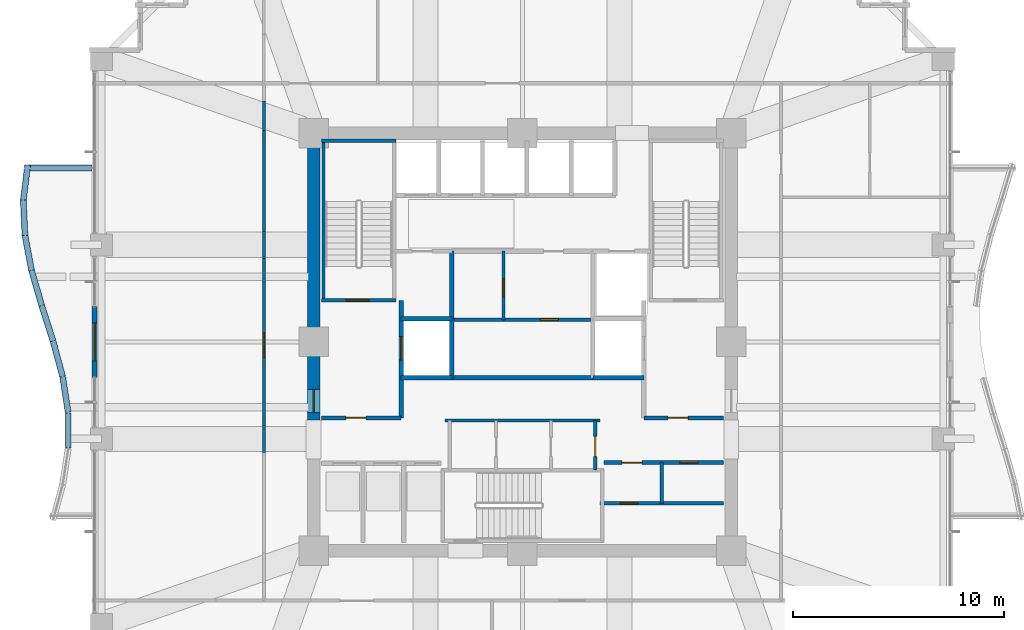
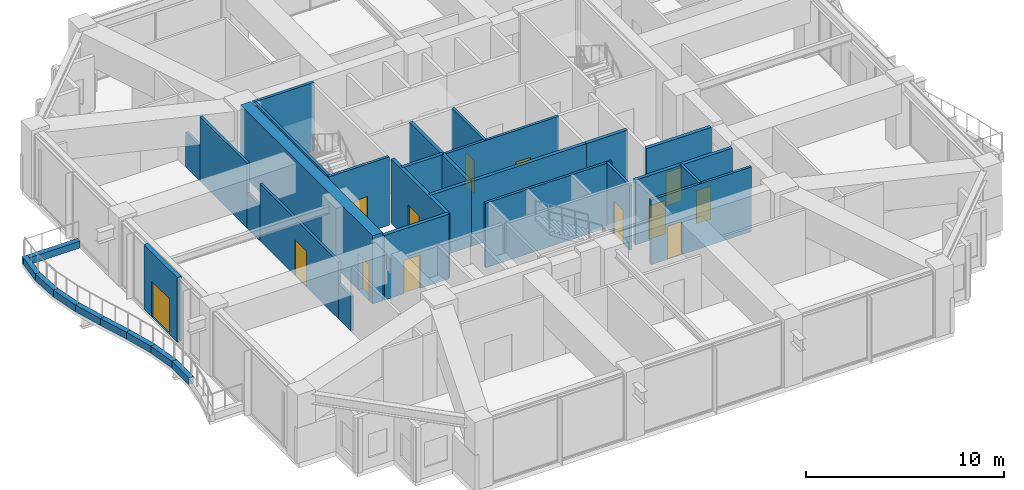
# One storey, part 34 of 40: 35 walls, 13 doors, 13 openings.
"""IFC4 building model written with IfcOpenShell, lengths in metres."""

from ifc_helpers import new_model, si_unit, direction, frame, frame_2d, origin, place, context, subcontext, project, spatial, rectangle, extrude, material, layer, layer_set, type_object, element, fill, save


model = new_model("IFC4")

# Units and contexts
model_context = context("Model", 3, precision=1e-05, world=origin(), true_north=direction((0.0, 1.0)))
body_context = subcontext(model_context, "Body", "Model", "MODEL_VIEW")
ifc_project = project(units=[si_unit("LENGTHUNIT", "METRE"), si_unit("AREAUNIT", "SQUARE_METRE"), si_unit("VOLUMEUNIT", "CUBIC_METRE"), si_unit("PLANEANGLEUNIT", "RADIAN"), si_unit("MASSUNIT", "GRAM", prefix="KILO")], contexts=[model_context])

# Site, building, storey
site_placement = place(None, origin())
site = spatial("IfcSite", under=ifc_project, at=site_placement, CompositionType="ELEMENT")
building_placement = place(site_placement, origin())
building = spatial("IfcBuilding", under=site, at=building_placement, Name="Kolvaren Belvedere", CompositionType="ELEMENT")
storey_placement = place(building_placement, frame((0.0, 0.0, 68.0)))
storey = spatial("IfcBuildingStorey", under=building, at=storey_placement, Name="L19", CompositionType="ELEMENT", Elevation=68.0)

# Wall, opening, door
ifc_material_1 = material(Name="Concrete C60/75", Category="concrete")
ifc_layer_1 = layer(ifc_material_1, 0.60009765625)
ifc_layer_set_1 = layer_set([ifc_layer_1], Name="Concrete C60/75")
wall_type_1 = type_object("IfcWallType", Name="CW-CORE-600", PredefinedType="SHEAR", material=ifc_layer_set_1)
wall_1_placement = place(storey_placement, frame((-9.89990234375, -3.699951171875, 0.0), z_axis=(0.0, 0.0, 1.0), x_axis=(0.0, 1.0, 0.0)))
wall_1 = element("IfcWall", 1, at=wall_1_placement, inside=storey, type_object=wall_type_1, Name="L19 West Core Shear Wall 2", PredefinedType="SHEAR", context=body_context, shape_type="SweptSolid", body=[
    extrude(rectangle(XDim=13.300048828125, YDim=0.60009765625, at=frame_2d((6.64990234375, 0.0))), origin(), (0.0, 0.0, 1.0), 4.199951171875),
])
opening_1_placement = place(wall_1_placement, frame((0.35009765625, 0.0, 0.0)))
opening_1 = element("IfcOpeningElement", 2, at=opening_1_placement, cuts=wall_1, Name="Opening D-FD90", PredefinedType="OPENING", context=body_context, shape_type="SweptSolid", body=[
    extrude(rectangle(XDim=1.10009765625, YDim=2.199951171875, at=frame_2d((0.550048828125, 1.10009765625))), frame((0.0, 0.31005859375, 0.0), z_axis=(0.0, -1.0, 0.0), x_axis=(1.0, 0.0, 0.0)), (0.0, 0.0, 1.0), 0.6201171875),
])
ifc_material_2 = material(Name="Painted hollow stainless steel", Category="steel")
door_type_1 = type_object("IfcDoorType", Name="DR-FD90-1100", OperationType="NOTDEFINED", PredefinedType="DOOR", material=ifc_material_2)
door_1_placement = place(opening_1_placement, origin())
door_1 = element("IfcDoor", 3, at=door_1_placement, inside=storey, type_object=door_type_1, Name="L19 West Firefighting Lobby Fire Door", OperationType="SINGLE_SWING_LEFT", OverallHeight=2.199951171875, OverallWidth=1.10009765625, PredefinedType="DOOR", context=body_context, shape_type="SweptSolid", body=[
    extrude(rectangle(XDim=1.10009765625, YDim=2.199951171875, at=frame_2d((0.550048828125, 1.10009765625))), frame((0.0, 0.02490234375, 0.0), z_axis=(0.0, -1.0, 0.0), x_axis=(1.0, 0.0, 0.0)), (0.0, 0.0, 1.0), 0.050048828125),
])
fill(opening_1, door_1)

ifc_material_3 = material(Name="Concrete C50/60", Category="concrete")
ifc_layer_2 = layer(ifc_material_3, 0.159912109375)
ifc_layer_set_2 = layer_set([ifc_layer_2], Name="Concrete C50/60")
wall_type_2 = type_object("IfcWallType", Name="CW-STAIR-160", PredefinedType="SHEAR", material=ifc_layer_set_2)
wall_2_placement = place(storey_placement, frame((-9.52001953125, 1.969970703125, 0.0), z_axis=(0.0, 0.0, 1.0), x_axis=(1.0, 0.0, 0.0)))
wall_2 = element("IfcWall", 4, at=wall_2_placement, inside=storey, type_object=wall_type_2, Name="L19 Stair ST-1 South Shear Wall", PredefinedType="SHEAR", context=body_context, shape_type="SweptSolid", body=[
    extrude(rectangle(XDim=3.52001953125, YDim=0.159912109375, at=frame_2d((1.760009765625, 0.0))), origin(), (0.0, 0.0, 1.0), 4.199951171875),
])
opening_2_placement = place(wall_2_placement, frame((1.14990234375, 0.0, 0.0)))
opening_2 = element("IfcOpeningElement", 5, at=opening_2_placement, cuts=wall_2, Name="Opening D-FD90", PredefinedType="OPENING", context=body_context, shape_type="SweptSolid", body=[
    extrude(rectangle(XDim=1.10009765625, YDim=2.199951171875, at=frame_2d((0.550048828125, 1.10009765625))), frame((0.0, 0.08984375, 0.0), z_axis=(0.0, -1.0, 0.0), x_axis=(1.0, 0.0, 0.0)), (0.0, 0.0, 1.0), 0.179931640625),
])
door_2_placement = place(opening_2_placement, origin())
door_2 = element("IfcDoor", 6, at=door_2_placement, inside=storey, type_object=door_type_1, Name="L19 Stair ST-1 Fire Door", OperationType="SINGLE_SWING_LEFT", OverallHeight=2.199951171875, OverallWidth=1.10009765625, PredefinedType="DOOR", context=body_context, shape_type="SweptSolid", body=[
    extrude(rectangle(XDim=1.10009765625, YDim=2.199951171875, at=frame_2d((0.550048828125, 1.10009765625))), frame((0.0, 0.02490234375, 0.0), z_axis=(0.0, -1.0, 0.0), x_axis=(1.0, 0.0, 0.0)), (0.0, 0.0, 1.0), 0.050048828125),
])
fill(opening_2, door_2)

# Walls
wall_3_placement = place(storey_placement, frame((-9.52001953125, 9.530029296875, 0.0), z_axis=(0.0, 0.0, 1.0), x_axis=(1.0, 0.0, 0.0)))
element("IfcWall", 7, at=wall_3_placement, inside=storey, type_object=wall_type_2, Name="L19 Stair ST-1 North Shear Wall", PredefinedType="SHEAR", context=body_context, shape_type="SweptSolid", body=[
    extrude(rectangle(XDim=3.52001953125, YDim=0.159912109375, at=frame_2d((1.760009765625, 0.0))), origin(), (0.0, 0.0, 1.0), 4.199951171875),
])
wall_4_placement = place(storey_placement, frame((-9.429931640625, 1.969970703125, 0.0), z_axis=(0.0, 0.0, 1.0), x_axis=(0.0, 1.0, 0.0)))
element("IfcWall", 8, at=wall_4_placement, inside=storey, type_object=wall_type_2, Name="L19 Stair ST-1 West Shear Wall", PredefinedType="SHEAR", context=body_context, shape_type="SweptSolid", body=[
    extrude(rectangle(XDim=7.56005859375, YDim=0.159912109375, at=frame_2d((3.780029296875, 0.0))), origin(), (0.0, 0.0, 1.0), 4.199951171875),
])
ifc_material_4 = material(Name="Gypsum fire-rated partition assembly", Category="gypsum")
ifc_layer_3 = layer(ifc_material_4, 0.14990234375)
ifc_layer_set_3 = layer_set([ifc_layer_3], Name="Gypsum fire-rated partition assembly")
wall_type_3 = type_object("IfcWallType", Name="WL-CORR-150", PredefinedType="PARTITIONING", material=ifc_layer_set_3)
wall_5_placement = place(storey_placement, frame((-12.260009765625, -5.241943359375, 0.0), z_axis=(0.0, 0.0, 1.0), x_axis=(0.0, 1.0, 0.0)))
element("IfcWall", 9, at=wall_5_placement, inside=storey, type_object=wall_type_3, Name="L19 West Corridor Wall", PredefinedType="PARTITIONING", context=body_context, shape_type="SweptSolid", body=[
    extrude(rectangle(XDim=1.283935546875, YDim=0.14990234375, at=frame_2d((0.64208984375, 0.0))), origin(), (0.0, 0.0, 1.0), 2.1650390625),
])

# Wall, opening, door
wall_6_placement = place(storey_placement, frame((-12.260009765625, -3.9580078125, 0.0), z_axis=(0.0, 0.0, 1.0), x_axis=(0.0, 1.0, 0.0)))
wall_6 = element("IfcWall", 10, at=wall_6_placement, inside=storey, type_object=wall_type_3, Name="L19 West Corridor Wall", PredefinedType="PARTITIONING", context=body_context, shape_type="SweptSolid", body=[
    extrude(rectangle(XDim=7.916015625, YDim=0.14990234375, at=frame_2d((3.9580078125, 0.0))), origin(), (0.0, 0.0, 1.0), 3.5048828125),
])
opening_3_placement = place(wall_6_placement, frame((3.197998046875, 0.0, 0.0)))
opening_3 = element("IfcOpeningElement", 11, at=opening_3_placement, cuts=wall_6, Name="Opening D-GL12", PredefinedType="OPENING", context=body_context, shape_type="SweptSolid", body=[
    extrude(rectangle(XDim=1.199951171875, YDim=2.199951171875, at=frame_2d((0.60009765625, 1.10009765625))), frame((0.0, 0.0849609375, 0.0), z_axis=(0.0, -1.0, 0.0), x_axis=(1.0, 0.0, 0.0)), (0.0, 0.0, 1.0), 0.169921875),
])
ifc_material_5 = material(Name="Anodised pale-metal aluminium & safety glass", Category="aluminium")
door_type_2 = type_object("IfcDoorType", Name="DR-GLAZ-1200", OperationType="DOUBLE_DOOR_SINGLE_SWING", PredefinedType="DOOR", material=ifc_material_5)
door_3_placement = place(opening_3_placement, origin())
door_3 = element("IfcDoor", 12, at=door_3_placement, inside=storey, type_object=door_type_2, Name="L19 Sky Co-Working & Reading Library Door", OperationType="DOUBLE_DOOR_SINGLE_SWING", OverallHeight=2.199951171875, OverallWidth=1.199951171875, PredefinedType="DOOR", context=body_context, shape_type="SweptSolid", body=[
    extrude(rectangle(XDim=1.199951171875, YDim=2.199951171875, at=frame_2d((0.60009765625, 1.10009765625))), frame((0.0, 0.02490234375, 0.0), z_axis=(0.0, -1.0, 0.0), x_axis=(1.0, 0.0, 0.0)), (0.0, 0.0, 1.0), 0.050048828125),
])
fill(opening_3, door_3)

# Walls
wall_7_placement = place(storey_placement, frame((-12.260009765625, 3.9580078125, 0.0), z_axis=(0.0, 0.0, 1.0), x_axis=(0.0, 1.0, 0.0)))
element("IfcWall", 13, at=wall_7_placement, inside=storey, type_object=wall_type_3, Name="L19 West Corridor Wall", PredefinedType="PARTITIONING", context=body_context, shape_type="SweptSolid", body=[
    extrude(rectangle(XDim=1.283935546875, YDim=0.14990234375, at=frame_2d((0.64208984375, 0.0))), origin(), (0.0, 0.0, 1.0), 2.1650390625),
])
wall_8_placement = place(storey_placement, frame((-12.260009765625, 5.241943359375, 0.0), z_axis=(0.0, 0.0, 1.0), x_axis=(0.0, 1.0, 0.0)))
element("IfcWall", 14, at=wall_8_placement, inside=storey, type_object=wall_type_3, Name="L19 West Corridor Wall", PredefinedType="PARTITIONING", context=body_context, shape_type="SweptSolid", body=[
    extrude(rectangle(XDim=4.771484375, YDim=0.14990234375, at=frame_2d((2.3857421875, 0.0))), origin(), (0.0, 0.0, 1.0), 3.97998046875),
])
wall_9_placement = place(storey_placement, frame((-12.260009765625, 10.013427734375, 0.0), z_axis=(0.0, 0.0, 1.0), x_axis=(0.0, 1.0, 0.0)))
element("IfcWall", 15, at=wall_9_placement, inside=storey, type_object=wall_type_3, Name="L19 West Corridor Wall", PredefinedType="PARTITIONING", context=body_context, shape_type="SweptSolid", body=[
    extrude(rectangle(XDim=1.416748046875, YDim=0.14990234375, at=frame_2d((0.70849609375, 0.0))), origin(), (0.0, 0.0, 1.0), 2.1650390625),
])

# Wall, opening, door
ifc_material_6 = material(Name="Insulated pale-metal facade wall assembly", Category="aluminium")
ifc_layer_4 = layer(ifc_material_6, 0.239990234375)
ifc_layer_set_4 = layer_set([ifc_layer_4], Name="Insulated pale-metal facade wall assembly")
wall_type_4 = type_object("IfcWallType", Name="WL-EXT-240", PredefinedType="STANDARD", material=ifc_layer_set_4)
wall_10_placement = place(storey_placement, frame((-20.280029296875, -1.679931640625, 0.0), z_axis=(0.0, 0.0, 1.0), x_axis=(0.0, 1.0, 0.0)))
wall_10 = element("IfcWall", 16, at=wall_10_placement, inside=storey, type_object=wall_type_4, Name="L19 West Terrace Portal Wall", PredefinedType="STANDARD", context=body_context, shape_type="SweptSolid", body=[
    extrude(rectangle(XDim=3.35986328125, YDim=0.239990234375, at=frame_2d((1.679931640625, 0.0))), origin(), (0.0, 0.0, 1.0), 3.97998046875),
])
opening_4_placement = place(wall_10_placement, frame((0.780029296875, 0.0, 0.0)))
opening_4 = element("IfcOpeningElement", 17, at=opening_4_placement, cuts=wall_10, Name="Opening DB-1800", PredefinedType="OPENING", context=body_context, shape_type="SweptSolid", body=[
    extrude(rectangle(XDim=1.800048828125, YDim=2.199951171875, at=frame_2d((0.89990234375, 1.10009765625))), frame((0.0, 0.1298828125, 0.0), z_axis=(0.0, -1.0, 0.0), x_axis=(1.0, 0.0, 0.0)), (0.0, 0.0, 1.0), 0.260009765625),
])
ifc_material_7 = material(Name="Thermally broken pale-metal aluminium & low-iron glass", Category="aluminium")
door_type_3 = type_object("IfcDoorType", Name="DR-BAL-1800", OperationType="DOUBLE_DOOR_SLIDING", PredefinedType="DOOR", material=ifc_material_7)
door_4_placement = place(opening_4_placement, origin())
door_4 = element("IfcDoor", 18, at=door_4_placement, inside=storey, type_object=door_type_3, Name="L19 West Planted Terrace Sliding Door", OperationType="DOUBLE_DOOR_SLIDING", OverallHeight=2.199951171875, OverallWidth=1.800048828125, PredefinedType="DOOR", context=body_context, shape_type="SweptSolid", body=[
    extrude(rectangle(XDim=1.800048828125, YDim=2.199951171875, at=frame_2d((0.89990234375, 1.10009765625))), frame((0.0, 0.02490234375, 0.0), z_axis=(0.0, -1.0, 0.0), x_axis=(1.0, 0.0, 0.0)), (0.0, 0.0, 1.0), 0.050048828125),
])
fill(opening_4, door_4)

ifc_material_8 = material(Name="Gypsum acoustic partition assembly", Category="gypsum")
ifc_layer_5 = layer(ifc_material_8, 0.14990234375)
ifc_layer_set_5 = layer_set([ifc_layer_5], Name="Gypsum acoustic partition assembly")
wall_type_5 = type_object("IfcWallType", Name="WL-PART-150", PredefinedType="PARTITIONING", material=ifc_layer_set_5)
wall_11_placement = place(storey_placement, frame((3.679931640625, -7.64990234375, 0.0), z_axis=(0.0, 0.0, 1.0), x_axis=(1.0, 0.0, 0.0)))
wall_11 = element("IfcWall", 19, at=wall_11_placement, inside=storey, type_object=wall_type_5, Name="L19 SE Core H-Divider", PredefinedType="PARTITIONING", context=body_context, shape_type="SweptSolid", body=[
    extrude(rectangle(XDim=5.840087890625, YDim=0.14990234375, at=frame_2d((2.919921875, 0.0))), origin(), (0.0, 0.0, 1.0), 3.97998046875),
])
opening_5_placement = place(wall_11_placement, frame((0.949951171875, 0.0, 0.0)))
opening_5 = element("IfcOpeningElement", 20, at=opening_5_placement, cuts=wall_11, Name="Opening D-INT85", PredefinedType="OPENING", context=body_context, shape_type="SweptSolid", body=[
    extrude(rectangle(XDim=0.85009765625, YDim=2.030029296875, at=frame_2d((0.425048828125, 1.01513671875))), frame((0.0, 0.0849609375, 0.0), z_axis=(0.0, -1.0, 0.0), x_axis=(1.0, 0.0, 0.0)), (0.0, 0.0, 1.0), 0.169921875),
])
ifc_material_9 = material(Name="Stained Pacific white oak", Category="timber")
door_type_4 = type_object("IfcDoorType", Name="DR-INT-850", OperationType="NOTDEFINED", PredefinedType="DOOR", material=ifc_material_9)
door_5_placement = place(opening_5_placement, origin())
door_5 = element("IfcDoor", 21, at=door_5_placement, inside=storey, type_object=door_type_4, Name="L19 SE Fibre Door", OperationType="SINGLE_SWING_RIGHT", OverallHeight=2.030029296875, OverallWidth=0.85009765625, PredefinedType="DOOR", context=body_context, shape_type="SweptSolid", body=[
    extrude(rectangle(XDim=0.85009765625, YDim=2.030029296875, at=frame_2d((0.425048828125, 1.01513671875))), frame((0.0, 0.02490234375, 0.0), z_axis=(0.0, -1.0, 0.0), x_axis=(1.0, 0.0, 0.0)), (0.0, 0.0, 1.0), 0.050048828125),
])
fill(opening_5, door_5)

# Wall
wall_12_placement = place(storey_placement, frame((6.60009765625, -7.64990234375, 0.0), z_axis=(0.0, 0.0, 1.0), x_axis=(0.0, 1.0, 0.0)))
element("IfcWall", 22, at=wall_12_placement, inside=storey, type_object=wall_type_5, Name="L19 SE Core V-Divider", PredefinedType="PARTITIONING", context=body_context, shape_type="SweptSolid", body=[
    extrude(rectangle(XDim=1.929931640625, YDim=0.14990234375, at=frame_2d((0.96484375, 0.0))), origin(), (0.0, 0.0, 1.0), 3.97998046875),
])

# Wall, opening, door
wall_13_placement = place(storey_placement, frame((-3.35009765625, 1.050048828125, 0.0), z_axis=(0.0, 0.0, 1.0), x_axis=(1.0, 0.0, 0.0)))
wall_13 = element("IfcWall", 23, at=wall_13_placement, inside=storey, type_object=wall_type_5, Name="L19 Central Core H-Divider", PredefinedType="PARTITIONING", context=body_context, shape_type="SweptSolid", body=[
    extrude(rectangle(XDim=6.7001953125, YDim=0.14990234375, at=frame_2d((3.35009765625, 0.0))), origin(), (0.0, 0.0, 1.0), 3.97998046875),
])
opening_6_placement = place(wall_13_placement, frame((4.199951171875, 0.0, 0.0)))
opening_6 = element("IfcOpeningElement", 24, at=opening_6_placement, cuts=wall_13, Name="Opening D-INT85", PredefinedType="OPENING", context=body_context, shape_type="SweptSolid", body=[
    extrude(rectangle(XDim=0.85009765625, YDim=2.030029296875, at=frame_2d((0.425048828125, 1.01513671875))), frame((0.0, 0.0849609375, 0.0), z_axis=(0.0, -1.0, 0.0), x_axis=(1.0, 0.0, 0.0)), (0.0, 0.0, 1.0), 0.169921875),
])
door_6_placement = place(opening_6_placement, origin())
door_6 = element("IfcDoor", 25, at=door_6_placement, inside=storey, type_object=door_type_4, Name="L19 Central Metering Door", OperationType="SINGLE_SWING_LEFT", OverallHeight=2.030029296875, OverallWidth=0.85009765625, PredefinedType="DOOR", context=body_context, shape_type="SweptSolid", body=[
    extrude(rectangle(XDim=0.85009765625, YDim=2.030029296875, at=frame_2d((0.425048828125, 1.01513671875))), frame((0.0, 0.02490234375, 0.0), z_axis=(0.0, -1.0, 0.0), x_axis=(1.0, 0.0, 0.0)), (0.0, 0.0, 1.0), 0.050048828125),
])
fill(opening_6, door_6)

wall_14_placement = place(storey_placement, frame((-0.89990234375, 1.050048828125, 0.0), z_axis=(0.0, 0.0, 1.0), x_axis=(0.0, 1.0, 0.0)))
wall_14 = element("IfcWall", 26, at=wall_14_placement, inside=storey, type_object=wall_type_5, Name="L19 Central Core V-Divider", PredefinedType="PARTITIONING", context=body_context, shape_type="SweptSolid", body=[
    extrude(rectangle(XDim=3.25, YDim=0.14990234375, at=frame_2d((1.625, 0.0))), origin(), (0.0, 0.0, 1.0), 3.97998046875),
])
opening_7_placement = place(wall_14_placement, frame((1.10009765625, 0.0, 0.0)))
opening_7 = element("IfcOpeningElement", 27, at=opening_7_placement, cuts=wall_14, Name="Opening D-INT85", PredefinedType="OPENING", context=body_context, shape_type="SweptSolid", body=[
    extrude(rectangle(XDim=0.85009765625, YDim=2.030029296875, at=frame_2d((0.425048828125, 1.01513671875))), frame((0.0, 0.0849609375, 0.0), z_axis=(0.0, -1.0, 0.0), x_axis=(1.0, 0.0, 0.0)), (0.0, 0.0, 1.0), 0.169921875),
])
door_7_placement = place(opening_7_placement, origin())
door_7 = element("IfcDoor", 28, at=door_7_placement, inside=storey, type_object=door_type_4, Name="L19 Central Telecom Door", OperationType="SINGLE_SWING_RIGHT", OverallHeight=2.030029296875, OverallWidth=0.85009765625, PredefinedType="DOOR", context=body_context, shape_type="SweptSolid", body=[
    extrude(rectangle(XDim=0.85009765625, YDim=2.030029296875, at=frame_2d((0.425048828125, 1.01513671875))), frame((0.0, 0.02490234375, 0.0), z_axis=(0.0, -1.0, 0.0), x_axis=(1.0, 0.0, 0.0)), (0.0, 0.0, 1.0), 0.050048828125),
])
fill(opening_7, door_7)

# Wall
wall_15_placement = place(storey_placement, frame((-3.679931640625, -3.719970703125, 0.0), z_axis=(0.0, 0.0, 1.0), x_axis=(1.0, 0.0, 0.0)))
element("IfcWall", 29, at=wall_15_placement, inside=storey, type_object=wall_type_5, Name="L19 South Core Service North Wall", PredefinedType="PARTITIONING", context=body_context, shape_type="SweptSolid", body=[
    extrude(rectangle(XDim=7.35986328125, YDim=0.14990234375, at=frame_2d((3.679931640625, 0.0))), origin(), (0.0, 0.0, 1.0), 3.97998046875),
])

# Wall, opening, door
wall_16_placement = place(storey_placement, frame((3.449951171875, -6.080078125, 0.0), z_axis=(0.0, 0.0, 1.0), x_axis=(0.0, 1.0, 0.0)))
wall_16 = element("IfcWall", 30, at=wall_16_placement, inside=storey, type_object=wall_type_5, Name="L19 South Core Service East Wall", PredefinedType="PARTITIONING", context=body_context, shape_type="SweptSolid", body=[
    extrude(rectangle(XDim=2.360107421875, YDim=0.14990234375, at=frame_2d((1.18017578125, 0.0))), origin(), (0.0, 0.0, 1.0), 3.97998046875),
])
opening_8_placement = place(wall_16_placement, frame((0.64990234375, 0.0, 0.0)))
opening_8 = element("IfcOpeningElement", 31, at=opening_8_placement, cuts=wall_16, Name="Opening D-FD60", PredefinedType="OPENING", context=body_context, shape_type="SweptSolid", body=[
    extrude(rectangle(XDim=0.949951171875, YDim=2.06005859375, at=frame_2d((0.47509765625, 1.030029296875))), frame((0.0, 0.0849609375, 0.0), z_axis=(0.0, -1.0, 0.0), x_axis=(1.0, 0.0, 0.0)), (0.0, 0.0, 1.0), 0.169921875),
])
ifc_material_10 = material(Name="Acoustic white-oak fire door leaf", Category="timber")
door_type_5 = type_object("IfcDoorType", Name="DR-FD60-950", OperationType="NOTDEFINED", PredefinedType="DOOR", material=ifc_material_10)
door_8_placement = place(opening_8_placement, origin())
door_8 = element("IfcDoor", 32, at=door_8_placement, inside=storey, type_object=door_type_5, Name="L19 Core Service Room Door", OperationType="SINGLE_SWING_LEFT", OverallHeight=2.06005859375, OverallWidth=0.949951171875, PredefinedType="DOOR", context=body_context, shape_type="SweptSolid", body=[
    extrude(rectangle(XDim=0.949951171875, YDim=2.06005859375, at=frame_2d((0.47509765625, 1.030029296875))), frame((0.0, 0.02490234375, 0.0), z_axis=(0.0, -1.0, 0.0), x_axis=(1.0, 0.0, 0.0)), (0.0, 0.0, 1.0), 0.050048828125),
])
fill(opening_8, door_8)

# Walls
ifc_material_11 = material(Name="Precast concrete C40/50", Category="concrete")
ifc_layer_6 = layer(ifc_material_11, 0.300048828125)
ifc_layer_set_6 = layer_set([ifc_layer_6], Name="Precast concrete C40/50")
wall_type_6 = type_object("IfcWallType", Name="WL-PLANTER-300", PredefinedType="PARAPET", material=ifc_layer_set_6)
wall_17_placement = place(storey_placement, frame((-23.454833984375, 8.380615234375, -0.1201171875), z_axis=(0.0, 0.0, 1.0), x_axis=(-0.121868867697, -0.992546210051, 0.0)))
element("IfcWall", 33, at=wall_17_placement, inside=storey, type_object=wall_type_6, Name="L19 Precast Structural Planter Wall BAL-W-1", PredefinedType="PARAPET", context=body_context, shape_type="SweptSolid", body=[
    extrude(rectangle(XDim=1.69287109375, YDim=0.280029296875, at=frame_2d((0.846435546875, 0.0))), origin(), (0.0, 0.0, 1.0), 0.420166015625),
])
wall_18_placement = place(storey_placement, frame((-23.66015625, 6.727294921875, -0.1201171875), z_axis=(0.0, 0.0, 1.0), x_axis=(0.044999415011, -0.998987013253, 0.0)))
element("IfcWall", 34, at=wall_18_placement, inside=storey, type_object=wall_type_6, Name="L19 Precast Structural Planter Wall BAL-W-2", PredefinedType="PARAPET", context=body_context, shape_type="SweptSolid", body=[
    extrude(rectangle(XDim=1.681884765625, YDim=0.280029296875, at=frame_2d((0.8408203125, 0.0))), origin(), (0.0, 0.0, 1.0), 0.420166015625),
])
wall_19_placement = place(storey_placement, frame((-23.5869140625, 5.069580078125, -0.1201171875), z_axis=(0.0, 0.0, 1.0), x_axis=(0.18467658162, -0.982799348901, 0.0)))
element("IfcWall", 35, at=wall_19_placement, inside=storey, type_object=wall_type_6, Name="L19 Precast Structural Planter Wall BAL-W-3", PredefinedType="PARAPET", context=body_context, shape_type="SweptSolid", body=[
    extrude(rectangle(XDim=1.709228515625, YDim=0.280029296875, at=frame_2d((0.8544921875, 0.0))), origin(), (0.0, 0.0, 1.0), 0.420166015625),
])
wall_20_placement = place(storey_placement, frame((-23.274658203125, 3.404541015625, -0.1201171875), z_axis=(0.0, 0.0, 1.0), x_axis=(0.277817391164, -0.960633903819, 0.0)))
element("IfcWall", 36, at=wall_20_placement, inside=storey, type_object=wall_type_6, Name="L19 Precast Structural Planter Wall BAL-W-4", PredefinedType="PARAPET", context=body_context, shape_type="SweptSolid", body=[
    extrude(rectangle(XDim=1.748779296875, YDim=0.280029296875, at=frame_2d((0.87451171875, 0.0))), origin(), (0.0, 0.0, 1.0), 0.420166015625),
])
wall_21_placement = place(storey_placement, frame((-22.7900390625, 1.728515625, -0.1201171875), z_axis=(0.0, 0.0, 1.0), x_axis=(0.304032153573, -0.952661770826, 0.0)))
element("IfcWall", 37, at=wall_21_placement, inside=storey, type_object=wall_type_6, Name="L19 Precast Structural Planter Wall BAL-W-5", PredefinedType="PARAPET", context=body_context, shape_type="SweptSolid", body=[
    extrude(rectangle(XDim=1.763427734375, YDim=0.280029296875, at=frame_2d((0.8818359375, 0.0))), origin(), (0.0, 0.0, 1.0), 0.420166015625),
])
wall_22_placement = place(storey_placement, frame((-22.251708984375, 0.041748046875, -0.1201171875), z_axis=(0.0, 0.0, 1.0), x_axis=(0.260682852326, -0.965424492388, 0.0)))
element("IfcWall", 38, at=wall_22_placement, inside=storey, type_object=wall_type_6, Name="L19 Precast Structural Planter Wall BAL-W-6", PredefinedType="PARAPET", context=body_context, shape_type="SweptSolid", body=[
    extrude(rectangle(XDim=1.739990234375, YDim=0.280029296875, at=frame_2d((0.8701171875, 0.0))), origin(), (0.0, 0.0, 1.0), 0.420166015625),
])
wall_23_placement = place(storey_placement, frame((-21.794677734375, -1.655517578125, -0.1201171875), z_axis=(0.0, 0.0, 1.0), x_axis=(0.152229849666, -0.988345118302, 0.0)))
element("IfcWall", 39, at=wall_23_placement, inside=storey, type_object=wall_type_6, Name="L19 Precast Structural Planter Wall BAL-W-7", PredefinedType="PARAPET", context=body_context, shape_type="SweptSolid", body=[
    extrude(rectangle(XDim=1.699951171875, YDim=0.280029296875, at=frame_2d((0.85009765625, 0.0))), origin(), (0.0, 0.0, 1.0), 0.420166015625),
])
wall_24_placement = place(storey_placement, frame((-21.533935546875, -3.360107421875, -0.1201171875), z_axis=(0.0, 0.0, 1.0), x_axis=(0.0, -1.0, 0.0)))
element("IfcWall", 40, at=wall_24_placement, inside=storey, type_object=wall_type_6, Name="L19 Precast Structural Planter Wall BAL-W-8", PredefinedType="PARAPET", context=body_context, shape_type="SweptSolid", body=[
    extrude(rectangle(XDim=1.679931640625, YDim=0.280029296875, at=frame_2d((0.83984375, 0.0))), origin(), (0.0, 0.0, 1.0), 0.420166015625),
])
wall_25_placement = place(storey_placement, frame((-20.39990234375, 8.239990234375, -0.1201171875), z_axis=(0.0, 0.0, 1.0), x_axis=(-1.0, 0.0, 0.0)))
element("IfcWall", 41, at=wall_25_placement, inside=storey, type_object=wall_type_6, Name="L19 Precast Structural Planter Wall BAL-W-22", PredefinedType="PARAPET", context=body_context, shape_type="SweptSolid", body=[
    extrude(rectangle(XDim=3.2138671875, YDim=0.280029296875, at=frame_2d((1.60693359375, 0.0))), origin(), (0.0, 0.0, 1.0), 0.420166015625),
])

# Wall, opening, door
ifc_material_12 = material(Name="Concrete C50/60", Category="concrete")
ifc_layer_7 = layer(ifc_material_12, 0.199951171875)
ifc_layer_set_7 = layer_set([ifc_layer_7], Name="Concrete C50/60")
wall_type_7 = type_object("IfcWallType", Name="WL-SHAFT-200", PredefinedType="SOLIDWALL", material=ifc_layer_set_7)
wall_26_placement = place(storey_placement, frame((-9.52001953125, -3.60009765625, 0.0), z_axis=(0.0, 0.0, 1.0), x_axis=(1.0, 0.0, 0.0)))
wall_26 = element("IfcWall", 42, at=wall_26_placement, inside=storey, type_object=wall_type_7, Name="L19 West FSAE Lobby South Wall", PredefinedType="SOLIDWALL", context=body_context, shape_type="SweptSolid", body=[
    extrude(rectangle(XDim=3.77001953125, YDim=0.199951171875, at=frame_2d((1.885009765625, 0.0))), origin(), (0.0, 0.0, 1.0), 3.97998046875),
])
opening_9_placement = place(wall_26_placement, frame((1.14990234375, 0.0, 0.0)))
opening_9 = element("IfcOpeningElement", 43, at=opening_9_placement, cuts=wall_26, Name="Opening D-FD60", PredefinedType="OPENING", context=body_context, shape_type="SweptSolid", body=[
    extrude(rectangle(XDim=0.949951171875, YDim=2.06005859375, at=frame_2d((0.47509765625, 1.030029296875))), frame((0.0, 0.10986328125, 0.0), z_axis=(0.0, -1.0, 0.0), x_axis=(1.0, 0.0, 0.0)), (0.0, 0.0, 1.0), 0.219970703125),
])
door_9_placement = place(opening_9_placement, origin())
door_9 = element("IfcDoor", 44, at=door_9_placement, inside=storey, type_object=door_type_5, Name="L19 Mid-Rise Lift Lobby Fire Door", OperationType="SINGLE_SWING_LEFT", OverallHeight=2.06005859375, OverallWidth=0.949951171875, PredefinedType="DOOR", context=body_context, shape_type="SweptSolid", body=[
    extrude(rectangle(XDim=0.949951171875, YDim=2.06005859375, at=frame_2d((0.47509765625, 1.030029296875))), frame((0.0, 0.02490234375, 0.0), z_axis=(0.0, -1.0, 0.0), x_axis=(1.0, 0.0, 0.0)), (0.0, 0.0, 1.0), 0.050048828125),
])
fill(opening_9, door_9)

wall_27_placement = place(storey_placement, frame((-5.75, -3.60009765625, 0.0), z_axis=(0.0, 0.0, 1.0), x_axis=(0.0, 1.0, 0.0)))
wall_27 = element("IfcWall", 45, at=wall_27_placement, inside=storey, type_object=wall_type_7, Name="L19 FSAE FS1 Landing Wall", PredefinedType="SOLIDWALL", context=body_context, shape_type="SweptSolid", body=[
    extrude(rectangle(XDim=5.570068359375, YDim=0.199951171875, at=frame_2d((2.78515625, 0.0))), origin(), (0.0, 0.0, 1.0), 3.97998046875),
])
opening_10_placement = place(wall_27_placement, frame((2.75, 0.0, 0.0)))
opening_10 = element("IfcOpeningElement", 46, at=opening_10_placement, cuts=wall_27, Name="Opening LD-11", PredefinedType="OPENING", context=body_context, shape_type="SweptSolid", body=[
    extrude(rectangle(XDim=1.10009765625, YDim=2.199951171875, at=frame_2d((0.550048828125, 1.10009765625))), frame((0.0, 0.10986328125, 0.0), z_axis=(0.0, -1.0, 0.0), x_axis=(1.0, 0.0, 0.0)), (0.0, 0.0, 1.0), 0.219970703125),
])
ifc_material_13 = material(Name="Brushed stainless steel", Category="steel")
door_type_6 = type_object("IfcDoorType", Name="DR-LIFT-1100", OperationType="DOUBLE_DOOR_SLIDING", PredefinedType="DOOR", material=ifc_material_13)
door_10_placement = place(opening_10_placement, origin())
door_10 = element("IfcDoor", 47, at=door_10_placement, inside=storey, type_object=door_type_6, Name="L19 Firefighting Lift FS1 Landing Door", OperationType="DOUBLE_DOOR_SLIDING", OverallHeight=2.199951171875, OverallWidth=1.10009765625, PredefinedType="DOOR", context=body_context, shape_type="SweptSolid", body=[
    extrude(rectangle(XDim=1.10009765625, YDim=2.199951171875, at=frame_2d((0.550048828125, 1.10009765625))), frame((0.0, 0.02490234375, 0.0), z_axis=(0.0, -1.0, 0.0), x_axis=(1.0, 0.0, 0.0)), (0.0, 0.0, 1.0), 0.050048828125),
])
fill(opening_10, door_10)

# Walls
wall_28_placement = place(storey_placement, frame((-3.35009765625, -1.699951171875, 0.0), z_axis=(0.0, 0.0, 1.0), x_axis=(0.0, 1.0, 0.0)))
element("IfcWall", 48, at=wall_28_placement, inside=storey, type_object=wall_type_7, Name="L19 FSAE FS1 Back Wall", PredefinedType="SOLIDWALL", context=body_context, shape_type="SweptSolid", body=[
    extrude(rectangle(XDim=2.800048828125, YDim=0.199951171875, at=frame_2d((1.39990234375, 0.0))), origin(), (0.0, 0.0, 1.0), 3.97998046875),
])
for number, where, z_axis, x_axis, name in (
    (49, (-5.75, -1.699951171875, 0.0), (0.0, 0.0, 1.0), (1.0, 0.0, 0.0), "L19 FSAE FS1 South Wall"),
    (50, (-5.75, 1.10009765625, 0.0), (0.0, 0.0, 1.0), (1.0, 0.0, 0.0), "L19 FSAE FS1 North Wall"),
):
    element("IfcWall", number, at=place(storey_placement, frame(where, z_axis=z_axis, x_axis=x_axis)), inside=storey, type_object=wall_type_7, Name=name, PredefinedType="SOLIDWALL", context=body_context, shape_type="SweptSolid", body=[
        extrude(rectangle(XDim=2.39990234375, YDim=0.199951171875, at=frame_2d((1.199951171875, 0.0))), origin(), (0.0, 0.0, 1.0), 3.97998046875),
    ])

# Wall, opening, door
wall_29_placement = place(storey_placement, frame((5.75, -3.60009765625, 0.0), z_axis=(0.0, 0.0, 1.0), x_axis=(1.0, 0.0, 0.0)))
wall_29 = element("IfcWall", 51, at=wall_29_placement, inside=storey, type_object=wall_type_7, Name="L19 East FSAE Lobby South Wall", PredefinedType="SOLIDWALL", context=body_context, shape_type="SweptSolid", body=[
    extrude(rectangle(XDim=3.77001953125, YDim=0.199951171875, at=frame_2d((1.885009765625, 0.0))), origin(), (0.0, 0.0, 1.0), 3.97998046875),
])
opening_11_placement = place(wall_29_placement, frame((1.14990234375, 0.0, 0.0)))
opening_11 = element("IfcOpeningElement", 52, at=opening_11_placement, cuts=wall_29, Name="Opening D-FD60", PredefinedType="OPENING", context=body_context, shape_type="SweptSolid", body=[
    extrude(rectangle(XDim=0.949951171875, YDim=2.06005859375, at=frame_2d((0.47509765625, 1.030029296875))), frame((0.0, 0.10986328125, 0.0), z_axis=(0.0, -1.0, 0.0), x_axis=(1.0, 0.0, 0.0)), (0.0, 0.0, 1.0), 0.219970703125),
])
door_11_placement = place(opening_11_placement, origin())
door_11 = element("IfcDoor", 53, at=door_11_placement, inside=storey, type_object=door_type_5, Name="L19 SE Lift Lobby Fire Door", OperationType="SINGLE_SWING_RIGHT", OverallHeight=2.06005859375, OverallWidth=0.949951171875, PredefinedType="DOOR", context=body_context, shape_type="SweptSolid", body=[
    extrude(rectangle(XDim=0.949951171875, YDim=2.06005859375, at=frame_2d((0.47509765625, 1.030029296875))), frame((0.0, 0.02490234375, 0.0), z_axis=(0.0, -1.0, 0.0), x_axis=(1.0, 0.0, 0.0)), (0.0, 0.0, 1.0), 0.050048828125),
])
fill(opening_11, door_11)

# Wall
wall_30_placement = place(storey_placement, frame((3.35009765625, -1.699951171875, 0.0), z_axis=(0.0, 0.0, 1.0), x_axis=(1.0, 0.0, 0.0)))
element("IfcWall", 54, at=wall_30_placement, inside=storey, type_object=wall_type_7, Name="L19 FSAE FS2 South Wall", PredefinedType="SOLIDWALL", context=body_context, shape_type="SweptSolid", body=[
    extrude(rectangle(XDim=2.39990234375, YDim=0.199951171875, at=frame_2d((1.199951171875, 0.0))), origin(), (0.0, 0.0, 1.0), 3.97998046875),
])

# Wall, openings, doors
wall_31_placement = place(storey_placement, frame((3.860107421875, -5.719970703125, 0.0), z_axis=(0.0, 0.0, 1.0), x_axis=(1.0, 0.0, 0.0)))
wall_31 = element("IfcWall", 55, at=wall_31_placement, inside=storey, type_object=wall_type_7, Name="L19 SE Core Distribution Wall", PredefinedType="SOLIDWALL", context=body_context, shape_type="SweptSolid", body=[
    extrude(rectangle(XDim=5.659912109375, YDim=0.199951171875, at=frame_2d((2.830078125, 0.0))), origin(), (0.0, 0.0, 1.0), 3.97998046875),
])
opening_12_placement = place(wall_31_placement, frame((0.85009765625, 0.0, 0.0)))
opening_12 = element("IfcOpeningElement", 56, at=opening_12_placement, cuts=wall_31, Name="Opening D-FD60", PredefinedType="OPENING", context=body_context, shape_type="SweptSolid", body=[
    extrude(rectangle(XDim=0.949951171875, YDim=2.06005859375, at=frame_2d((0.47509765625, 1.030029296875))), frame((0.0, 0.10986328125, 0.0), z_axis=(0.0, -1.0, 0.0), x_axis=(1.0, 0.0, 0.0)), (0.0, 0.0, 1.0), 0.219970703125),
])
opening_13_placement = place(wall_31_placement, frame((3.60009765625, 0.0, 0.0)))
opening_13 = element("IfcOpeningElement", 57, at=opening_13_placement, cuts=wall_31, Name="Opening D-INT85", PredefinedType="OPENING", context=body_context, shape_type="SweptSolid", body=[
    extrude(rectangle(XDim=0.85009765625, YDim=2.030029296875, at=frame_2d((0.425048828125, 1.01513671875))), frame((0.0, 0.10986328125, 0.0), z_axis=(0.0, -1.0, 0.0), x_axis=(1.0, 0.0, 0.0)), (0.0, 0.0, 1.0), 0.219970703125),
])
door_12_placement = place(opening_12_placement, origin())
door_12 = element("IfcDoor", 58, at=door_12_placement, inside=storey, type_object=door_type_5, Name="L19 SE Pantry Door", OperationType="SINGLE_SWING_RIGHT", OverallHeight=2.06005859375, OverallWidth=0.949951171875, PredefinedType="DOOR", context=body_context, shape_type="SweptSolid", body=[
    extrude(rectangle(XDim=0.949951171875, YDim=2.06005859375, at=frame_2d((0.47509765625, 1.030029296875))), frame((0.0, 0.02490234375, 0.0), z_axis=(0.0, -1.0, 0.0), x_axis=(1.0, 0.0, 0.0)), (0.0, 0.0, 1.0), 0.050048828125),
])
fill(opening_12, door_12)
door_13_placement = place(opening_13_placement, origin())
door_13 = element("IfcDoor", 59, at=door_13_placement, inside=storey, type_object=door_type_4, Name="L19 SE Linen Door", OperationType="SINGLE_SWING_LEFT", OverallHeight=2.030029296875, OverallWidth=0.85009765625, PredefinedType="DOOR", context=body_context, shape_type="SweptSolid", body=[
    extrude(rectangle(XDim=0.85009765625, YDim=2.030029296875, at=frame_2d((0.425048828125, 1.01513671875))), frame((0.0, 0.02490234375, 0.0), z_axis=(0.0, -1.0, 0.0), x_axis=(1.0, 0.0, 0.0)), (0.0, 0.0, 1.0), 0.050048828125),
])
fill(opening_13, door_13)

# Walls
wall_32_placement = place(storey_placement, frame((-3.35009765625, -1.699951171875, 0.0), z_axis=(0.0, 0.0, 1.0), x_axis=(1.0, 0.0, 0.0)))
element("IfcWall", 60, at=wall_32_placement, inside=storey, type_object=wall_type_7, Name="L19 Central Core Room South Wall", PredefinedType="SOLIDWALL", context=body_context, shape_type="SweptSolid", body=[
    extrude(rectangle(XDim=6.7001953125, YDim=0.199951171875, at=frame_2d((3.35009765625, 0.0))), origin(), (0.0, 0.0, 1.0), 3.97998046875),
])
wall_33_placement = place(storey_placement, frame((-3.35009765625, 1.10009765625, 0.0), z_axis=(0.0, 0.0, 1.0), x_axis=(0.0, 1.0, 0.0)))
element("IfcWall", 61, at=wall_33_placement, inside=storey, type_object=wall_type_7, Name="L19 Central Core Room West Wall", PredefinedType="SOLIDWALL", context=body_context, shape_type="SweptSolid", body=[
    extrude(rectangle(XDim=3.199951171875, YDim=0.199951171875, at=frame_2d((1.60009765625, 0.0))), origin(), (0.0, 0.0, 1.0), 3.97998046875),
])

save(model, "model.ifc")
